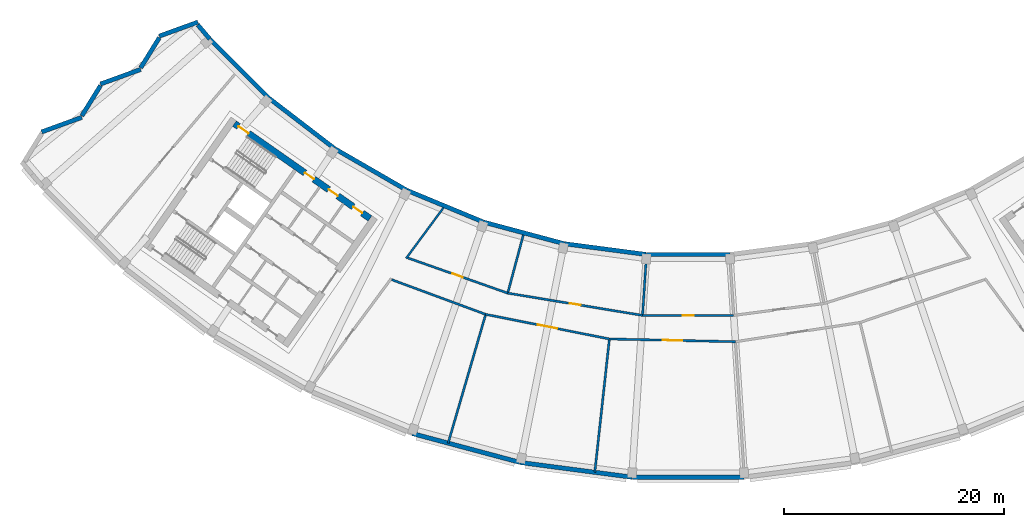
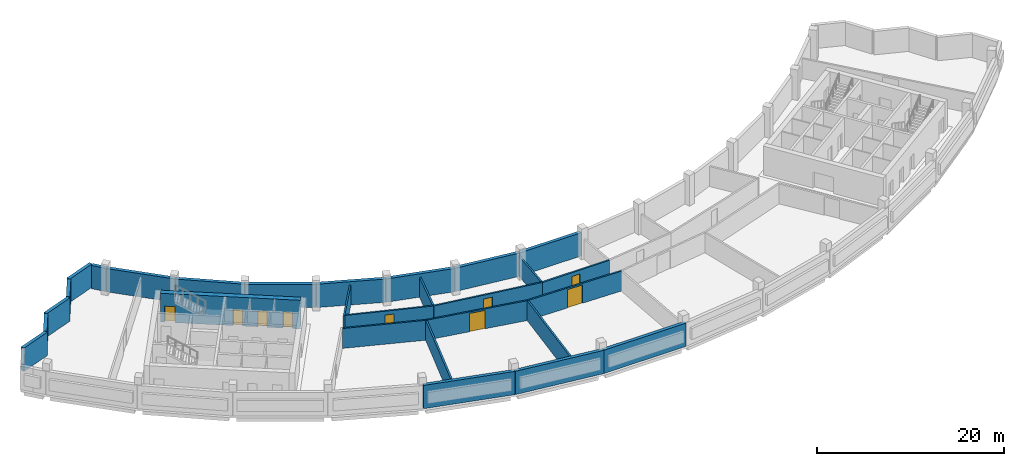
# One storey, part 4 of 11: 28 walls, 9 doors, 9 openings.
"""IFC4 building model written with IfcOpenShell, lengths in metres."""

from ifc_helpers import new_model, si_unit, direction, frame, frame_2d, origin, place, context, subcontext, project, spatial, rectangle, extrude, material, layer, layer_set, type_object, element, fill, save


model = new_model("IFC4")

# Units and contexts
model_context = context("Model", 3, precision=1e-05, world=origin(), true_north=direction((0.0, 1.0)))
body_context = subcontext(model_context, "Body", "Model", "MODEL_VIEW")
ifc_project = project(units=[si_unit("LENGTHUNIT", "METRE"), si_unit("AREAUNIT", "SQUARE_METRE"), si_unit("VOLUMEUNIT", "CUBIC_METRE"), si_unit("PLANEANGLEUNIT", "RADIAN"), si_unit("MASSUNIT", "GRAM", prefix="KILO")], contexts=[model_context])

# Site, building, storey
site_placement = place(None, origin())
site = spatial("IfcSite", under=ifc_project, at=site_placement, CompositionType="ELEMENT")
building_placement = place(site_placement, origin())
building = spatial("IfcBuilding", under=site, at=building_placement, Name="Qamariyya Broadcast Tower", CompositionType="ELEMENT")
storey_placement = place(building_placement, frame((0.0, 0.0, 310.699951171875)))
storey = spatial("IfcBuildingStorey", under=building, at=storey_placement, Name="L75", CompositionType="ELEMENT", Elevation=310.699951171875)

# Wall, openings, doors
ifc_material_1 = material(Name="Concrete C60/75", Category="concrete")
ifc_layer_1 = layer(ifc_material_1, 0.60009765625)
ifc_layer_set_1 = layer_set([ifc_layer_1], Name="Core wall 600 mm Concrete C60/75")
wall_type_1 = type_object("IfcWallType", Name="Core wall 600 mm Concrete C60/75", PredefinedType="SHEAR", material=ifc_layer_set_1)
wall_1_placement = place(storey_placement, frame((-28.940673828125, -54.447021484375, 0.0), z_axis=(0.0, 0.0, 1.0), x_axis=(-0.819153391756, 0.573574511963, 0.0)))
wall_1 = element("IfcWall", 1, at=wall_1_placement, inside=storey, type_object=wall_type_1, Name="k-W-L75-WI", PredefinedType="SHEAR", context=body_context, shape_type="SweptSolid", body=[
    extrude(rectangle(XDim=15.04541015625, YDim=0.60009765625, at=frame_2d((7.522705078125, 0.0))), origin(), (0.0, 0.0, 1.0), 3.75),
])
opening_1_placement = place(wall_1_placement, frame((0.85009765625, 0.0, 0.0)))
opening_1 = element("IfcOpeningElement", 2, at=opening_1_placement, cuts=wall_1, Name="Opening KD4-W7", PredefinedType="OPENING", context=body_context, shape_type="SweptSolid", body=[
    extrude(rectangle(XDim=1.0, YDim=2.10009765625, at=frame_2d((0.5, 1.050048828125))), frame((0.0, 0.31005859375, 0.0), z_axis=(0.0, -1.0, 0.0), x_axis=(1.0, 0.0, 0.0)), (0.0, 0.0, 1.0), 0.6201171875),
])
opening_2_placement = place(wall_1_placement, frame((3.574951171875, 0.0, 0.0)))
opening_2 = element("IfcOpeningElement", 3, at=opening_2_placement, cuts=wall_1, Name="Opening KD4-W8", PredefinedType="OPENING", context=body_context, shape_type="SweptSolid", body=[
    extrude(rectangle(XDim=1.0, YDim=2.10009765625, at=frame_2d((0.5, 1.050048828125))), frame((0.0, 0.31005859375, 0.0), z_axis=(0.0, -1.0, 0.0), x_axis=(1.0, 0.0, 0.0)), (0.0, 0.0, 1.0), 0.6201171875),
])
opening_3_placement = place(wall_1_placement, frame((6.22509765625, 0.0, 0.0)))
opening_3 = element("IfcOpeningElement", 4, at=opening_3_placement, cuts=wall_1, Name="Opening KD4-W9", PredefinedType="OPENING", context=body_context, shape_type="SweptSolid", body=[
    extrude(rectangle(XDim=1.0, YDim=2.10009765625, at=frame_2d((0.5, 1.050048828125))), frame((0.0, 0.31005859375, 0.0), z_axis=(0.0, -1.0, 0.0), x_axis=(1.0, 0.0, 0.0)), (0.0, 0.0, 1.0), 0.6201171875),
])
opening_4_placement = place(wall_1_placement, frame((13.495361328125, 0.0, 0.0)))
opening_4 = element("IfcOpeningElement", 5, at=opening_4_placement, cuts=wall_1, Name="Opening KD1-W1", PredefinedType="OPENING", context=body_context, shape_type="SweptSolid", body=[
    extrude(rectangle(XDim=1.10009765625, YDim=2.10009765625, at=frame_2d((0.550048828125, 1.050048828125))), frame((0.0, 0.31005859375, 0.0), z_axis=(0.0, -1.0, 0.0), x_axis=(1.0, 0.0, 0.0)), (0.0, 0.0, 1.0), 0.6201171875),
])
ifc_material_2 = material(Name="Steel fire-resisting door leaf", Category="steel")
door_type_1 = type_object("IfcDoorType", Name="Riser and plant door KD4", OperationType="SINGLE_SWING_LEFT", PredefinedType="DOOR", material=ifc_material_2)
door_1_placement = place(opening_1_placement, origin())
door_1 = element("IfcDoor", 6, at=door_1_placement, inside=storey, type_object=door_type_1, Name="k-W-L75-WI-D8", OperationType="SINGLE_SWING_LEFT", OverallHeight=2.10009765625, OverallWidth=1.0, PredefinedType="DOOR", context=body_context, shape_type="SweptSolid", body=[
    extrude(rectangle(XDim=1.0, YDim=2.10009765625, at=frame_2d((0.5, 1.050048828125))), frame((0.0, 0.02490234375, 0.0), z_axis=(0.0, -1.0, 0.0), x_axis=(1.0, 0.0, 0.0)), (0.0, 0.0, 1.0), 0.050048828125),
])
fill(opening_1, door_1)
door_2_placement = place(opening_2_placement, origin())
door_2 = element("IfcDoor", 7, at=door_2_placement, inside=storey, type_object=door_type_1, Name="k-W-L75-WI-D9", OperationType="SINGLE_SWING_RIGHT", OverallHeight=2.10009765625, OverallWidth=1.0, PredefinedType="DOOR", context=body_context, shape_type="SweptSolid", body=[
    extrude(rectangle(XDim=1.0, YDim=2.10009765625, at=frame_2d((0.5, 1.050048828125))), frame((0.0, 0.02490234375, 0.0), z_axis=(0.0, -1.0, 0.0), x_axis=(1.0, 0.0, 0.0)), (0.0, 0.0, 1.0), 0.050048828125),
])
fill(opening_2, door_2)
door_3_placement = place(opening_3_placement, origin())
door_3 = element("IfcDoor", 8, at=door_3_placement, inside=storey, type_object=door_type_1, Name="k-W-L75-WI-D10", OperationType="SINGLE_SWING_LEFT", OverallHeight=2.10009765625, OverallWidth=1.0, PredefinedType="DOOR", context=body_context, shape_type="SweptSolid", body=[
    extrude(rectangle(XDim=1.0, YDim=2.10009765625, at=frame_2d((0.5, 1.050048828125))), frame((0.0, 0.02490234375, 0.0), z_axis=(0.0, -1.0, 0.0), x_axis=(1.0, 0.0, 0.0)), (0.0, 0.0, 1.0), 0.050048828125),
])
fill(opening_3, door_3)
door_type_2 = type_object("IfcDoorType", Name="Stair door KD1", OperationType="SINGLE_SWING_LEFT", PredefinedType="DOOR", material=ifc_material_2)
door_4_placement = place(opening_4_placement, origin())
door_4 = element("IfcDoor", 9, at=door_4_placement, inside=storey, type_object=door_type_2, Name="k-W-L75-WI-D17", OperationType="SINGLE_SWING_RIGHT", OverallHeight=2.10009765625, OverallWidth=1.10009765625, PredefinedType="DOOR", context=body_context, shape_type="SweptSolid", body=[
    extrude(rectangle(XDim=1.10009765625, YDim=2.10009765625, at=frame_2d((0.550048828125, 1.050048828125))), frame((0.0, 0.02490234375, 0.0), z_axis=(0.0, -1.0, 0.0), x_axis=(1.0, 0.0, 0.0)), (0.0, 0.0, 1.0), 0.050048828125),
])
fill(opening_4, door_4)

# Wall
ifc_material_3 = material(Name="Masonry block wall", Category="masonry")
ifc_layer_2 = layer(ifc_material_3, 0.199951171875)
ifc_layer_set_2 = layer_set([ifc_layer_2], Name="Plant room wall 200 EI 120")
wall_type_2 = type_object("IfcWallType", Name="Plant room wall 200 EI 120", PredefinedType="PARTITIONING", material=ifc_layer_set_2)
wall_2_placement = place(storey_placement, frame((-26.963623046875, -60.01416015625, 0.0), z_axis=(0.0, 0.0, 1.0), x_axis=(0.938099554291, -0.346365740567, 0.0)))
element("IfcWall", 10, at=wall_2_placement, inside=storey, type_object=wall_type_2, Name="Partition L75-003", PredefinedType="PARTITIONING", context=body_context, shape_type="SweptSolid", body=[
    extrude(rectangle(XDim=9.11328125, YDim=0.199951171875, at=frame_2d((4.556640625, 0.0))), origin(), (0.0, 0.0, 1.0), 2.60009765625),
])

# Wall, opening, door
wall_3_placement = place(storey_placement, frame((-25.51318359375, -58.032470703125, 0.0), z_axis=(0.0, 0.0, 1.0), x_axis=(0.943182093553, -0.332276298284, 0.0)))
wall_3 = element("IfcWall", 11, at=wall_3_placement, inside=storey, type_object=wall_type_2, Name="Partition L75-004", PredefinedType="PARTITIONING", context=body_context, shape_type="SweptSolid", body=[
    extrude(rectangle(XDim=9.65234375, YDim=0.199951171875, at=frame_2d((4.826171875, 0.0))), origin(), (0.0, 0.0, 1.0), 2.60009765625),
])
opening_5_placement = place(wall_3_placement, frame((4.326171875, 0.0, 0.0)))
opening_5 = element("IfcOpeningElement", 12, at=opening_5_placement, cuts=wall_3, Name="Opening L75-D06", PredefinedType="OPENING", context=body_context, shape_type="SweptSolid", body=[
    extrude(rectangle(XDim=1.0, YDim=2.10009765625, at=frame_2d((0.5, 1.050048828125))), frame((0.0, 0.10986328125, 0.0), z_axis=(0.0, -1.0, 0.0), x_axis=(1.0, 0.0, 0.0)), (0.0, 0.0, 1.0), 0.219970703125),
])
ifc_material_4 = material(Name="Insulated metal door leaf")
door_type_3 = type_object("IfcDoorType", Name="Plant door 1000 x 2100 FD120", OperationType="NOTDEFINED", PredefinedType="DOOR", material=ifc_material_4)
door_5_placement = place(opening_5_placement, origin())
door_5 = element("IfcDoor", 13, at=door_5_placement, inside=storey, type_object=door_type_3, Name="Door L75-D06", OperationType="SINGLE_SWING_RIGHT", OverallHeight=2.10009765625, OverallWidth=1.0, PredefinedType="DOOR", context=body_context, shape_type="SweptSolid", body=[
    extrude(rectangle(XDim=1.0, YDim=2.10009765625, at=frame_2d((0.5, 1.050048828125))), frame((0.0, 0.02490234375, 0.0), z_axis=(0.0, -1.0, 0.0), x_axis=(1.0, 0.0, 0.0)), (0.0, 0.0, 1.0), 0.050048828125),
])
fill(opening_5, door_5)

# Wall
wall_4_placement = place(storey_placement, frame((-21.8291015625, -74.884033203125, 0.0), z_axis=(0.0, 0.0, 1.0), x_axis=(0.279876038728, 0.960036146687, 0.0)))
element("IfcWall", 14, at=wall_4_placement, inside=storey, type_object=wall_type_2, Name="Partition L75-006", PredefinedType="PARTITIONING", context=body_context, shape_type="SweptSolid", body=[
    extrude(rectangle(XDim=12.100830078125, YDim=0.199951171875, at=frame_2d((6.05029296875, 0.0))), origin(), (0.0, 0.0, 1.0), 2.60009765625),
])

# Wall, opening, door
wall_5_placement = place(storey_placement, frame((-7.16162109375, -65.4091796875, 0.0), z_axis=(0.0, 0.0, 1.0), x_axis=(-0.980782303344, 0.195105288106, 0.0)))
wall_5 = element("IfcWall", 15, at=wall_5_placement, inside=storey, type_object=wall_type_2, Name="Partition L75-007", PredefinedType="PARTITIONING", context=body_context, shape_type="SweptSolid", body=[
    extrude(rectangle(XDim=11.473388671875, YDim=0.199951171875, at=frame_2d((5.73681640625, 0.0))), origin(), (0.0, 0.0, 1.0), 2.60009765625),
])
opening_6_placement = place(wall_5_placement, frame((4.836669921875, 0.0, 0.0)))
opening_6 = element("IfcOpeningElement", 16, at=opening_6_placement, cuts=wall_5, Name="Opening L75-D02", PredefinedType="OPENING", context=body_context, shape_type="SweptSolid", body=[
    extrude(rectangle(XDim=1.800048828125, YDim=2.39990234375, at=frame_2d((0.89990234375, 1.199951171875))), frame((0.0, 0.10986328125, 0.0), z_axis=(0.0, -1.0, 0.0), x_axis=(1.0, 0.0, 0.0)), (0.0, 0.0, 1.0), 0.219970703125),
])
door_type_4 = type_object("IfcDoorType", Name="Plant double door 1800 x 2400 FD120", OperationType="NOTDEFINED", PredefinedType="DOOR", material=ifc_material_4)
door_6_placement = place(opening_6_placement, origin())
door_6 = element("IfcDoor", 17, at=door_6_placement, inside=storey, type_object=door_type_4, Name="Door L75-D02", OperationType="DOUBLE_DOOR_SINGLE_SWING", OverallHeight=2.39990234375, OverallWidth=1.800048828125, PredefinedType="DOOR", context=body_context, shape_type="SweptSolid", body=[
    extrude(rectangle(XDim=1.800048828125, YDim=2.39990234375, at=frame_2d((0.89990234375, 1.199951171875))), frame((0.0, 0.02490234375, 0.0), z_axis=(0.0, -1.0, 0.0), x_axis=(1.0, 0.0, 0.0)), (0.0, 0.0, 1.0), 0.050048828125),
])
fill(opening_6, door_6)

wall_6_placement = place(storey_placement, frame((-16.4091796875, -61.23974609375, 0.0), z_axis=(0.0, 0.0, 1.0), x_axis=(0.986645467323, -0.162882539919, 0.0)))
wall_6 = element("IfcWall", 18, at=wall_6_placement, inside=storey, type_object=wall_type_2, Name="Partition L75-008", PredefinedType="PARTITIONING", context=body_context, shape_type="SweptSolid", body=[
    extrude(rectangle(XDim=12.4287109375, YDim=0.199951171875, at=frame_2d((6.21435546875, 0.0))), origin(), (0.0, 0.0, 1.0), 2.60009765625),
])
opening_7_placement = place(wall_6_placement, frame((5.71435546875, 0.0, 0.0)))
opening_7 = element("IfcOpeningElement", 19, at=opening_7_placement, cuts=wall_6, Name="Opening L75-D07", PredefinedType="OPENING", context=body_context, shape_type="SweptSolid", body=[
    extrude(rectangle(XDim=1.0, YDim=2.10009765625, at=frame_2d((0.5, 1.050048828125))), frame((0.0, 0.10986328125, 0.0), z_axis=(0.0, -1.0, 0.0), x_axis=(1.0, 0.0, 0.0)), (0.0, 0.0, 1.0), 0.219970703125),
])
door_7_placement = place(opening_7_placement, origin())
door_7 = element("IfcDoor", 20, at=door_7_placement, inside=storey, type_object=door_type_3, Name="Door L75-D07", OperationType="SINGLE_SWING_RIGHT", OverallHeight=2.10009765625, OverallWidth=1.0, PredefinedType="DOOR", context=body_context, shape_type="SweptSolid", body=[
    extrude(rectangle(XDim=1.0, YDim=2.10009765625, at=frame_2d((0.5, 1.050048828125))), frame((0.0, 0.02490234375, 0.0), z_axis=(0.0, -1.0, 0.0), x_axis=(1.0, 0.0, 0.0)), (0.0, 0.0, 1.0), 0.050048828125),
])
fill(opening_7, door_7)

# Walls
wall_7_placement = place(storey_placement, frame((-14.992431640625, -55.952880859375, 0.0), z_axis=(0.0, 0.0, 1.0), x_axis=(-0.258847367931, -0.965918236765, 0.0)))
element("IfcWall", 21, at=wall_7_placement, inside=storey, type_object=wall_type_2, Name="Partition L75-009", PredefinedType="PARTITIONING", context=body_context, shape_type="SweptSolid", body=[
    extrude(rectangle(XDim=5.373291015625, YDim=0.199951171875, at=frame_2d((2.6865234375, 0.0))), origin(), (0.0, 0.0, 1.0), 2.60009765625),
])
wall_8_placement = place(storey_placement, frame((-8.489501953125, -77.53759765625, 0.0), z_axis=(0.0, 0.0, 1.0), x_axis=(0.108825963582, 0.994060817883, 0.0)))
element("IfcWall", 22, at=wall_8_placement, inside=storey, type_object=wall_type_2, Name="Partition L75-010", PredefinedType="PARTITIONING", context=body_context, shape_type="SweptSolid", body=[
    extrude(rectangle(XDim=12.100830078125, YDim=0.199951171875, at=frame_2d((6.05029296875, 0.0))), origin(), (0.0, 0.0, 1.0), 2.60009765625),
])

# Wall, opening, door
wall_9_placement = place(storey_placement, frame((4.303466796875, -65.6591796875, 0.0), z_axis=(0.0, 0.0, 1.0), x_axis=(-0.999762348583, 0.021800145758, 0.0)))
wall_9 = element("IfcWall", 23, at=wall_9_placement, inside=storey, type_object=wall_type_2, Name="Partition L75-011", PredefinedType="PARTITIONING", context=body_context, shape_type="SweptSolid", body=[
    extrude(rectangle(XDim=11.4677734375, YDim=0.199951171875, at=frame_2d((5.73388671875, 0.0))), origin(), (0.0, 0.0, 1.0), 2.60009765625),
])
opening_8_placement = place(wall_9_placement, frame((4.833984375, 0.0, 0.0)))
opening_8 = element("IfcOpeningElement", 24, at=opening_8_placement, cuts=wall_9, Name="Opening L75-D03", PredefinedType="OPENING", context=body_context, shape_type="SweptSolid", body=[
    extrude(rectangle(XDim=1.800048828125, YDim=2.39990234375, at=frame_2d((0.89990234375, 1.199951171875))), frame((0.0, 0.10986328125, 0.0), z_axis=(0.0, -1.0, 0.0), x_axis=(1.0, 0.0, 0.0)), (0.0, 0.0, 1.0), 0.219970703125),
])
door_8_placement = place(opening_8_placement, origin())
door_8 = element("IfcDoor", 25, at=door_8_placement, inside=storey, type_object=door_type_4, Name="Door L75-D03", OperationType="DOUBLE_DOOR_SINGLE_SWING", OverallHeight=2.39990234375, OverallWidth=1.800048828125, PredefinedType="DOOR", context=body_context, shape_type="SweptSolid", body=[
    extrude(rectangle(XDim=1.800048828125, YDim=2.39990234375, at=frame_2d((0.89990234375, 1.199951171875))), frame((0.0, 0.02490234375, 0.0), z_axis=(0.0, -1.0, 0.0), x_axis=(1.0, 0.0, 0.0)), (0.0, 0.0, 1.0), 0.050048828125),
])
fill(opening_8, door_8)

wall_10_placement = place(storey_placement, frame((-4.146484375, -63.26416015625, 0.0), z_axis=(0.0, 0.0, 1.0), x_axis=(1.0, 0.0, 0.0)))
wall_10 = element("IfcWall", 26, at=wall_10_placement, inside=storey, type_object=wall_type_2, Name="Partition L75-012", PredefinedType="PARTITIONING", context=body_context, shape_type="SweptSolid", body=[
    extrude(rectangle(XDim=8.29296875, YDim=0.199951171875, at=frame_2d((4.146484375, 0.0))), origin(), (0.0, 0.0, 1.0), 2.60009765625),
])
opening_9_placement = place(wall_10_placement, frame((3.646484375, 0.0, 0.0)))
opening_9 = element("IfcOpeningElement", 27, at=opening_9_placement, cuts=wall_10, Name="Opening L75-D08", PredefinedType="OPENING", context=body_context, shape_type="SweptSolid", body=[
    extrude(rectangle(XDim=1.0, YDim=2.10009765625, at=frame_2d((0.5, 1.050048828125))), frame((0.0, 0.10986328125, 0.0), z_axis=(0.0, -1.0, 0.0), x_axis=(1.0, 0.0, 0.0)), (0.0, 0.0, 1.0), 0.219970703125),
])
door_9_placement = place(opening_9_placement, origin())
door_9 = element("IfcDoor", 28, at=door_9_placement, inside=storey, type_object=door_type_3, Name="Door L75-D08", OperationType="SINGLE_SWING_RIGHT", OverallHeight=2.10009765625, OverallWidth=1.0, PredefinedType="DOOR", context=body_context, shape_type="SweptSolid", body=[
    extrude(rectangle(XDim=1.0, YDim=2.10009765625, at=frame_2d((0.5, 1.050048828125))), frame((0.0, 0.02490234375, 0.0), z_axis=(0.0, -1.0, 0.0), x_axis=(1.0, 0.0, 0.0)), (0.0, 0.0, 1.0), 0.050048828125),
])
fill(opening_9, door_9)

# Walls
wall_11_placement = place(storey_placement, frame((-3.796630859375, -57.92578125, 0.0), z_axis=(0.0, 0.0, 1.0), x_axis=(-0.065429447175, -0.997857197921, 0.0)))
element("IfcWall", 29, at=wall_11_placement, inside=storey, type_object=wall_type_2, Name="Partition L75-013", PredefinedType="PARTITIONING", context=body_context, shape_type="SweptSolid", body=[
    extrude(rectangle(XDim=5.25, YDim=0.199951171875, at=frame_2d((2.625, 0.0))), origin(), (0.0, 0.0, 1.0), 2.60009765625),
])
ifc_material_5 = material(Name="Terracotta", Category="masonry")
ifc_layer_3 = layer(ifc_material_5, 0.39990234375)
ifc_layer_set_3 = layer_set([ifc_layer_3], Name="Solid terracotta louvred band wall 400")
wall_type_3 = type_object("IfcWallType", Name="Solid terracotta louvred band wall 400", PredefinedType="SOLIDWALL", material=ifc_layer_set_3)
wall_12_placement = place(storey_placement, frame((-44.58642578125, -36.581787109375, 0.0), z_axis=(0.0, 0.0, 1.0), x_axis=(-0.940130056589, -0.340815898541, 0.0)))
element("IfcWall", 30, at=wall_12_placement, inside=storey, type_object=wall_type_3, Name="e-wl-L75-capW0", PredefinedType="SOLIDWALL", context=body_context, shape_type="SweptSolid", body=[
    extrude(rectangle(XDim=3.742919921875, YDim=0.39990234375, at=frame_2d((1.87158203125, 0.0))), origin(), (0.0, 0.0, 1.0), 3.050048828125),
])
wall_13_placement = place(storey_placement, frame((-48.104248046875, -38.00341796875, 0.0), z_axis=(0.0, 0.0, 1.0), x_axis=(-0.525678481137, -0.850683333838, 0.0)))
element("IfcWall", 31, at=wall_13_placement, inside=storey, type_object=wall_type_3, Name="e-wl-L75-capW1", PredefinedType="SOLIDWALL", context=body_context, shape_type="SweptSolid", body=[
    extrude(rectangle(XDim=3.220458984375, YDim=0.39990234375, at=frame_2d((1.6103515625, 0.0))), origin(), (0.0, 0.0, 1.0), 3.050048828125),
])
wall_14_placement = place(storey_placement, frame((-49.79638671875, -40.888916015625, 0.0), z_axis=(0.0, 0.0, 1.0), x_axis=(-0.940086069154, -0.340937212083, 0.0)))
element("IfcWall", 32, at=wall_14_placement, inside=storey, type_object=wall_type_3, Name="e-wl-L75-capW2", PredefinedType="SOLIDWALL", context=body_context, shape_type="SweptSolid", body=[
    extrude(rectangle(XDim=3.892578125, YDim=0.39990234375, at=frame_2d((1.9462890625, 0.0))), origin(), (0.0, 0.0, 1.0), 3.050048828125),
])
wall_15_placement = place(storey_placement, frame((-53.454833984375, -42.362060546875, 0.0), z_axis=(0.0, 0.0, 1.0), x_axis=(-0.525649491409, -0.850701247314, 0.0)))
element("IfcWall", 33, at=wall_15_placement, inside=storey, type_object=wall_type_3, Name="e-wl-L75-capW3", PredefinedType="SOLIDWALL", context=body_context, shape_type="SweptSolid", body=[
    extrude(rectangle(XDim=3.21923828125, YDim=0.39990234375, at=frame_2d((1.609619140625, 0.0))), origin(), (0.0, 0.0, 1.0), 3.050048828125),
])
wall_16_placement = place(storey_placement, frame((-55.14599609375, -45.24658203125, 0.0), z_axis=(0.0, 0.0, 1.0), x_axis=(-0.940075029039, -0.340967652099, 0.0)))
element("IfcWall", 34, at=wall_16_placement, inside=storey, type_object=wall_type_3, Name="e-wl-L75-capW4", PredefinedType="SOLIDWALL", context=body_context, shape_type="SweptSolid", body=[
    extrude(rectangle(XDim=3.893798828125, YDim=0.39990234375, at=frame_2d((1.94677734375, 0.0))), origin(), (0.0, 0.0, 1.0), 3.050048828125),
])
wall_17_placement = place(storey_placement, frame((-43.51123046875, -38.122802734375, 0.0), z_axis=(0.0, 0.0, 1.0), x_axis=(-0.645545650865, 0.763721685334, 0.0)))
element("IfcWall", 35, at=wall_17_placement, inside=storey, type_object=wall_type_3, Name="e-wl-L75-in00", PredefinedType="SOLIDWALL", context=body_context, shape_type="SweptSolid", body=[
    extrude(rectangle(XDim=1.68359375, YDim=0.39990234375, at=frame_2d((0.841796875, 0.0))), origin(), (0.0, 0.0, 1.0), 3.050048828125),
])
wall_18_placement = place(storey_placement, frame((-38.125732421875, -43.511962890625, 0.0), z_axis=(0.0, 0.0, 1.0), x_axis=(-0.707106781187, 0.707106781187, 0.0)))
element("IfcWall", 36, at=wall_18_placement, inside=storey, type_object=wall_type_3, Name="e-wl-L75-in10", PredefinedType="SOLIDWALL", context=body_context, shape_type="SweptSolid", body=[
    extrude(rectangle(XDim=7.6025390625, YDim=0.39990234375, at=frame_2d((3.80126953125, 0.0))), origin(), (0.0, 0.0, 1.0), 3.050048828125),
])
wall_19_placement = place(storey_placement, frame((-32.18017578125, -48.070068359375, 0.0), z_axis=(0.0, 0.0, 1.0), x_axis=(-0.793355236357, 0.608758957999, 0.0)))
element("IfcWall", 37, at=wall_19_placement, inside=storey, type_object=wall_type_3, Name="e-wl-L75-in20", PredefinedType="SOLIDWALL", context=body_context, shape_type="SweptSolid", body=[
    extrude(rectangle(XDim=7.4658203125, YDim=0.39990234375, at=frame_2d((3.73291015625, 0.0))), origin(), (0.0, 0.0, 1.0), 3.050048828125),
])
wall_20_placement = place(storey_placement, frame((-25.56494140625, -51.89697265625, 0.0), z_axis=(0.0, 0.0, 1.0), x_axis=(-0.866025463095, 0.499999897272, 0.0)))
element("IfcWall", 38, at=wall_20_placement, inside=storey, type_object=wall_type_3, Name="e-wl-L75-in30", PredefinedType="SOLIDWALL", context=body_context, shape_type="SweptSolid", body=[
    extrude(rectangle(XDim=7.6171875, YDim=0.39990234375, at=frame_2d((3.80859375, 0.0))), origin(), (0.0, 0.0, 1.0), 3.050048828125),
])
wall_21_placement = place(storey_placement, frame((-18.642333984375, -54.760986328125, 0.0), z_axis=(0.0, 0.0, 1.0), x_axis=(-0.923872151004, 0.382701252414, 0.0)))
element("IfcWall", 39, at=wall_21_placement, inside=storey, type_object=wall_type_3, Name="e-wl-L75-in40", PredefinedType="SOLIDWALL", context=body_context, shape_type="SweptSolid", body=[
    extrude(rectangle(XDim=7.4658203125, YDim=0.39990234375, at=frame_2d((3.73291015625, 0.0))), origin(), (0.0, 0.0, 1.0), 3.050048828125),
])
wall_22_placement = place(storey_placement, frame((-11.261962890625, -56.745361328125, 0.0), z_axis=(0.0, 0.0, 1.0), x_axis=(-0.965927307138, 0.258813518437, 0.0)))
element("IfcWall", 40, at=wall_22_placement, inside=storey, type_object=wall_type_3, Name="e-wl-L75-in50", PredefinedType="SOLIDWALL", context=body_context, shape_type="SweptSolid", body=[
    extrude(rectangle(XDim=7.6171875, YDim=0.39990234375, at=frame_2d((3.80859375, 0.0))), origin(), (0.0, 0.0, 1.0), 3.050048828125),
])
wall_23_placement = place(storey_placement, frame((-3.833984375, -57.719970703125, 0.0), z_axis=(0.0, 0.0, 1.0), x_axis=(-0.991442493144, 0.130544179452, 0.0)))
element("IfcWall", 41, at=wall_23_placement, inside=storey, type_object=wall_type_3, Name="e-wl-L75-in60", PredefinedType="SOLIDWALL", context=body_context, shape_type="SweptSolid", body=[
    extrude(rectangle(XDim=7.4658203125, YDim=0.39990234375, at=frame_2d((3.73291015625, 0.0))), origin(), (0.0, 0.0, 1.0), 3.050048828125),
])
wall_24_placement = place(storey_placement, frame((3.80859375, -57.7265625, 0.0), z_axis=(0.0, 0.0, 1.0), x_axis=(-1.0, 0.0, 0.0)))
element("IfcWall", 42, at=wall_24_placement, inside=storey, type_object=wall_type_3, Name="e-wl-L75-in70", PredefinedType="SOLIDWALL", context=body_context, shape_type="SweptSolid", body=[
    extrude(rectangle(XDim=7.6171875, YDim=0.39990234375, at=frame_2d((3.80859375, 0.0))), origin(), (0.0, 0.0, 1.0), 3.050048828125),
])
wall_25_placement = place(storey_placement, frame((-25.0712890625, -74.015380859375, 0.0), z_axis=(0.0, 0.0, 1.0), x_axis=(0.965928778267, -0.258808027921, 0.0)))
element("IfcWall", 43, at=wall_25_placement, inside=storey, type_object=wall_type_3, Name="e-wl-L75-out50", PredefinedType="SOLIDWALL", context=body_context, shape_type="SweptSolid", body=[
    extrude(rectangle(XDim=10.120849609375, YDim=0.39990234375, at=frame_2d((5.060546875, 0.0))), origin(), (0.0, 0.0, 1.0), 3.050048828125),
])
wall_26_placement = place(storey_placement, frame((-15.27099609375, -76.644775390625, 0.0), z_axis=(0.0, 0.0, 1.0), x_axis=(0.991444909321, -0.130525828027, 0.0)))
element("IfcWall", 44, at=wall_26_placement, inside=storey, type_object=wall_type_3, Name="e-wl-L75-out60", PredefinedType="SOLIDWALL", context=body_context, shape_type="SweptSolid", body=[
    extrude(rectangle(XDim=10.2724609375, YDim=0.39990234375, at=frame_2d((5.13623046875, 0.0))), origin(), (0.0, 0.0, 1.0), 3.050048828125),
])
wall_27_placement = place(storey_placement, frame((-5.060546875, -77.982177734375, 0.0), z_axis=(0.0, 0.0, 1.0), x_axis=(1.0, 0.0, 0.0)))
element("IfcWall", 45, at=wall_27_placement, inside=storey, type_object=wall_type_3, Name="e-wl-L75-out70", PredefinedType="SOLIDWALL", context=body_context, shape_type="SweptSolid", body=[
    extrude(rectangle(XDim=10.12109375, YDim=0.39990234375, at=frame_2d((5.060546875, 0.0))), origin(), (0.0, 0.0, 1.0), 3.050048828125),
])
ifc_material_6 = material(Name="Gypsum board partition")
ifc_layer_4 = layer(ifc_material_6, 0.179931640625)
ifc_layer_set_4 = layer_set([ifc_layer_4], Name="Studio acoustic partition 180 EI 60")
wall_type_4 = type_object("IfcWallType", Name="Studio acoustic partition 180 EI 60", PredefinedType="PARTITIONING", material=ifc_layer_set_4)
wall_28_placement = place(storey_placement, frame((-22.251953125, -53.469482421875, 0.0), z_axis=(0.0, 0.0, 1.0), x_axis=(-0.593885763016, -0.804549377283, 0.0)))
element("IfcWall", 46, at=wall_28_placement, inside=storey, type_object=wall_type_4, Name="Partition L75-005", PredefinedType="PARTITIONING", context=body_context, shape_type="SweptSolid", body=[
    extrude(rectangle(XDim=5.734375, YDim=0.179931640625, at=frame_2d((2.8671875, 0.0))), origin(), (0.0, 0.0, 1.0), 2.60009765625),
])

save(model, "model.ifc")
